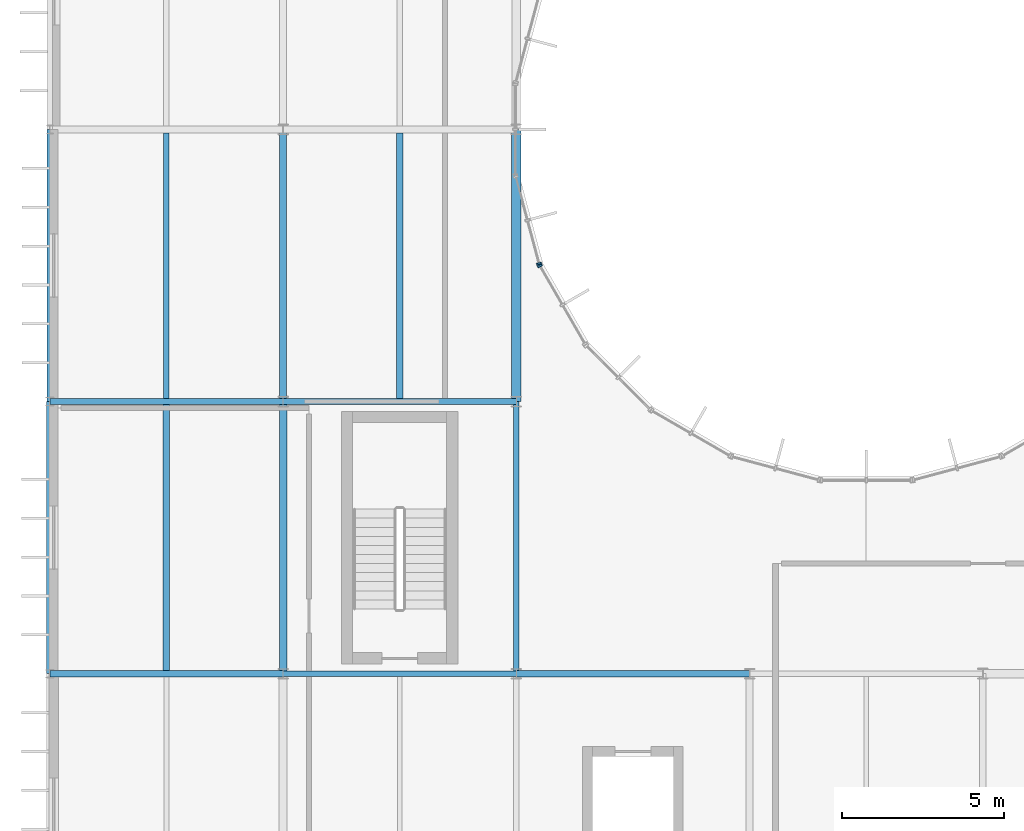
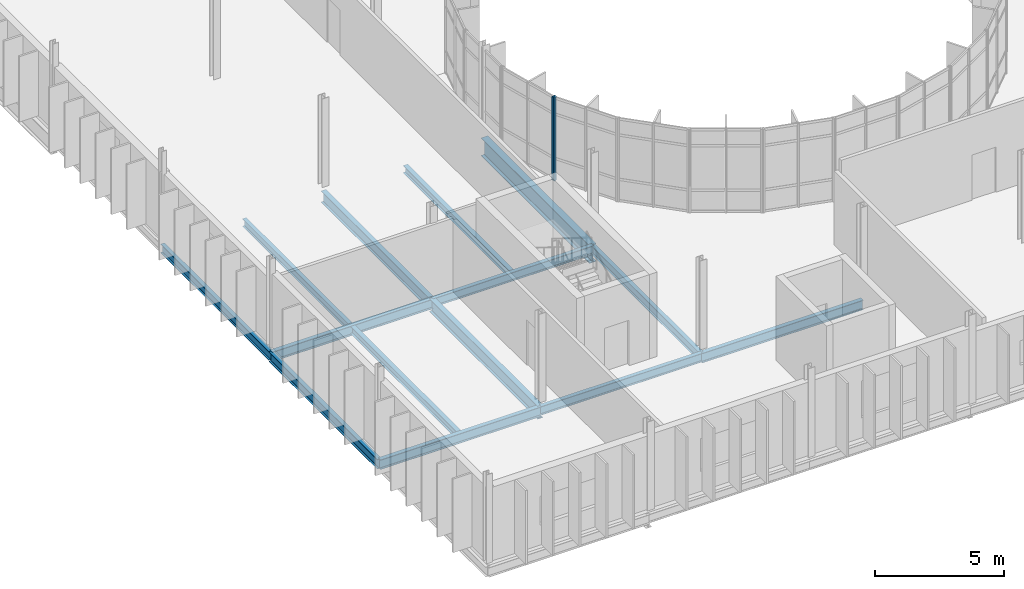
# One storey, part 19 of 61: 14 beams, 2 members, 2 elements without a shape of their own.
"""IFC4 building model written with IfcOpenShell, lengths in metres."""

import ifcopenshell
import ifcopenshell.guid

model = None  # the IFC model being written
_history = None  # IfcOwnerHistory: only IFC2X3 demands one
_inside = {}  # id of a spatial element -> (the spatial element, [elements in it])
_under = {}  # id of a project, library or spatial element -> (it, [spatial elements below it])
_declared = {}  # id of a project -> (the project, [libraries it declares])
_typed = {}  # id of a type object -> (the type object, [elements of that type])
_made_of = {}  # id of a material, layer set ... -> (it, [elements and type objects made of it])


def new_model(schema):
    """Start an empty IFC model of exactly this schema.

    Asked for "IFC4X3", IfcOpenShell would pick the latest addendum, in which some entities
    have other attributes; the version numbers below select the first issue.
    IFC2X3 requires an IfcOwnerHistory on every rooted entity: one is made here for all.
    """
    global model, _history
    if schema == "IFC4X3":
        model = ifcopenshell.file(schema_version=(4, 3, 0, 0))
    else:
        model = ifcopenshell.file(schema=schema)
    _inside.clear()
    _under.clear()
    _declared.clear()
    _typed.clear()
    _made_of.clear()
    _history = None
    if model.schema == "IFC2X3":
        org = make("IfcOrganization", Name="unknown")
        user = make(
            "IfcPersonAndOrganization",
            ThePerson=make("IfcPerson", FamilyName="unknown"),
            TheOrganization=org,
        )
        app = make(
            "IfcApplication",
            ApplicationDeveloper=org,
            Version="unknown",
            ApplicationFullName="unknown",
            ApplicationIdentifier="unknown",
        )
        _history = make(
            "IfcOwnerHistory",
            OwningUser=user,
            OwningApplication=app,
            ChangeAction="ADDED",
            CreationDate=0,
        )
    return model


def make(cls, **values):
    """One entity of the class cls with the attributes given. An attribute that is None is left unset."""
    return model.create_entity(
        cls, **{name: value for name, value in values.items() if value is not None}
    )


def rooted(cls, **values):
    """An entity with a GlobalId (a new one), such as an element, a storey or a relation."""
    return make(cls, GlobalId=ifcopenshell.guid.new(), OwnerHistory=_history, **values)


def si_unit(unit_type, name, prefix=None):
    """IfcSIUnit, for example si_unit("LENGTHUNIT", "METRE", prefix="MILLI")."""
    return make("IfcSIUnit", UnitType=unit_type, Prefix=prefix, Name=name)


def assignment(units):
    """IfcUnitAssignment: the units of a project."""
    return None if units is None else make("IfcUnitAssignment", Units=units)


def point(xyz):
    """IfcCartesianPoint."""
    return None if xyz is None else make("IfcCartesianPoint", Coordinates=xyz)


def direction(xyz):
    """IfcDirection."""
    return None if xyz is None else make("IfcDirection", DirectionRatios=xyz)


def frame(location, z_axis=None, x_axis=None):
    """IfcAxis2Placement3D, a coordinate frame: its origin and axes. An axis left out is left unset."""
    return make(
        "IfcAxis2Placement3D",
        Location=point(location),
        Axis=direction(z_axis),
        RefDirection=direction(x_axis),
    )


def frame_2d(location, x_axis=None):
    """IfcAxis2Placement2D, a coordinate frame in the plane: its origin and x axis."""
    return make(
        "IfcAxis2Placement2D", Location=point(location), RefDirection=direction(x_axis)
    )


def origin():
    """The frame at (0, 0, 0) with its axes left unset."""
    return frame((0.0, 0.0, 0.0))


def origin_2d():
    """The frame at (0, 0) in the plane with its x axis left unset."""
    return frame_2d((0.0, 0.0))


def place(relative_to, where):
    """IfcLocalPlacement: puts the frame where relative to a parent placement (None: the world)."""
    return make(
        "IfcLocalPlacement", PlacementRelTo=relative_to, RelativePlacement=where
    )


def context(
    kind, dimensions, precision=None, world=None, true_north=None, identifier=None
):
    """IfcGeometricRepresentationContext, for example the 3D "Model" context."""
    return make(
        "IfcGeometricRepresentationContext",
        ContextIdentifier=identifier,
        ContextType=kind,
        CoordinateSpaceDimension=dimensions,
        Precision=precision,
        WorldCoordinateSystem=world,
        TrueNorth=true_north,
    )


def subcontext(parent, identifier, kind, view, scale=None):
    """IfcGeometricRepresentationSubContext, for example "Body" below "Model"."""
    return make(
        "IfcGeometricRepresentationSubContext",
        ContextIdentifier=identifier,
        ContextType=kind,
        ParentContext=parent,
        TargetScale=scale,
        TargetView=view,
    )


def project(units=None, contexts=None):
    """IfcProject with its units and contexts."""
    return rooted(
        "IfcProject",
        Name="project",
        RepresentationContexts=contexts,
        UnitsInContext=assignment(units),
    )


def spatial(cls, under=None, at=None, **own):
    """A site, building, storey or space (cls), placed at a placement, below another one or the project."""
    s = rooted(cls, ObjectPlacement=at, **own)
    if under is not None:
        _under.setdefault(under.id(), (under, []))[1].append(s)
    return s


def profile(cls, at=None, kind="AREA", **sizes):
    """A parametric profile (cls). Its sizes go by their IFC names, for example OverallWidth=200.0."""
    return make(cls, ProfileType=kind, Position=at, **sizes)


def rectangle(**sizes):
    """IfcRectangleProfileDef."""
    return profile("IfcRectangleProfileDef", **sizes)


def i_section(**sizes):
    """IfcIShapeProfileDef."""
    return profile("IfcIShapeProfileDef", **sizes)


def extrude(swept, where, along, depth):
    """IfcExtrudedAreaSolid: the profile swept, set in the frame where, extruded along a direction by depth."""
    return make(
        "IfcExtrudedAreaSolid",
        SweptArea=swept,
        Position=where,
        ExtrudedDirection=direction(along),
        Depth=depth,
    )


def shape(context_of_items, identifier, shape_type, items):
    """IfcShapeRepresentation: the items that make up one representation, for example the "Body"."""
    return make(
        "IfcShapeRepresentation",
        ContextOfItems=context_of_items,
        RepresentationIdentifier=identifier,
        RepresentationType=shape_type,
        Items=items,
    )


def material(Name=None, Category=None):
    """IfcMaterial."""
    return make("IfcMaterial", Name=Name, Category=Category)


def material_profile(
    of_material, cross_section, Name=None, Category=None, Priority=None
):
    """IfcMaterialProfile: a cross section and its material."""
    return make(
        "IfcMaterialProfile",
        Name=Name,
        Material=of_material,
        Profile=cross_section,
        Priority=Priority,
        Category=Category,
    )


def profile_set(profiles, Name=None, composite=None):
    """IfcMaterialProfileSet."""
    return make(
        "IfcMaterialProfileSet",
        Name=Name,
        MaterialProfiles=profiles,
        CompositeProfile=composite,
    )


def made_of(thing, what):
    """Note that an element or type object is made of a material, layer set ...; save() writes the relation."""
    if what is not None:
        _made_of.setdefault(what.id(), (what, []))[1].append(thing)
    return thing


def type_object(cls, material=None, **own):
    """A type object (cls), such as IfcWallType, which elements share."""
    return made_of(rooted(cls, **own), material)


def element(
    cls,
    number,
    at=None,
    inside=None,
    cuts=None,
    type_object=None,
    material=None,
    context=None,
    identifier="Body",
    shape_type=None,
    held_by="IfcProductDefinitionShape",
    body=None,
    shapes=None,
    **own,
):
    """One element of the class cls, such as IfcWall. Its Tag is "e" and its number.

    at: its placement. inside: the storey or other place that contains it. cuts: it is an
    opening in that element (IfcRelVoidsElement). A single representation is given by context,
    identifier, shape_type and body (its items); several are given by shapes. held_by: the class
    of the entity that holds the representations. save() writes the other relations.
    """
    e = rooted(cls, Tag="e%d" % number, ObjectPlacement=at, **own)
    if body is not None:
        shapes = [shape(context, identifier, shape_type, body)]
    if shapes is not None:
        e.Representation = make(held_by, Representations=shapes)
    if inside is not None:
        _inside.setdefault(inside.id(), (inside, []))[1].append(e)
    if cuts is not None:
        rooted(
            "IfcRelVoidsElement", RelatingBuildingElement=cuts, RelatedOpeningElement=e
        )
    if type_object is not None:
        _typed.setdefault(type_object.id(), (type_object, []))[1].append(e)
    return made_of(e, material)


def aggregate(whole, parts):
    """IfcRelAggregates: a whole, such as a stair, and the parts it consists of."""
    return rooted("IfcRelAggregates", RelatingObject=whole, RelatedObjects=parts)


def save(model, path):
    """Write the relations noted so far, then the file.

    IfcRelAggregates (storeys below a building ...), IfcRelContainedInSpatialStructure (elements
    in a storey), IfcRelDefinesByType, IfcRelAssociatesMaterial and IfcRelDeclares: one each for
    every whole, place, type object, material and project.
    """
    for whole, parts in _under.values():
        aggregate(whole, parts)
    for where, things in _inside.values():
        rooted(
            "IfcRelContainedInSpatialStructure",
            RelatedElements=things,
            RelatingStructure=where,
        )
    for kind, things in _typed.values():
        rooted("IfcRelDefinesByType", RelatedObjects=things, RelatingType=kind)
    for what, things in _made_of.values():
        rooted("IfcRelAssociatesMaterial", RelatedObjects=things, RelatingMaterial=what)
    for by, libraries in _declared.values():
        rooted("IfcRelDeclares", RelatingContext=by, RelatedDefinitions=libraries)
    model.write(path)


model = new_model("IFC4")

# Units and contexts
model_context = context("Model", 3, precision=1e-05, world=origin(), true_north=direction((0.0, 1.0)))
body_context = subcontext(model_context, "Body", "Model", "MODEL_VIEW")
ifc_project = project(units=[si_unit("LENGTHUNIT", "METRE"), si_unit("AREAUNIT", "SQUARE_METRE"), si_unit("VOLUMEUNIT", "CUBIC_METRE"), si_unit("PLANEANGLEUNIT", "RADIAN"), si_unit("MASSUNIT", "GRAM", prefix="KILO")], contexts=[model_context])

# Site, building, storey
site_placement = place(None, origin())
site = spatial("IfcSite", under=ifc_project, at=site_placement, CompositionType="ELEMENT")
building_placement = place(site_placement, origin())
building = spatial("IfcBuilding", under=site, at=building_placement, Name="Qelthora Terrace Specialist Clinic", CompositionType="ELEMENT")
storey_placement = place(building_placement, frame((0.0, 0.0, 13.199951171875)))
storey = spatial("IfcBuildingStorey", under=building, at=storey_placement, Name="L03", CompositionType="ELEMENT", Elevation=13.199951171875)

# Beams
ifc_material_1 = material(Name="Steel S355", Category="steel")
ifc_material_profile_1 = material_profile(ifc_material_1, i_section(OverallWidth=0.178955078125, OverallDepth=0.409912109375, WebThickness=0.0087890625, FlangeThickness=0.014404296875, FilletRadius=0.011962890625, at=origin_2d()), Name="W410X67")
ifc_profile_set_1 = profile_set([ifc_material_profile_1], Name="Steel S355")
beam_type_1 = type_object("IfcBeamType", Name="BM-W410X67", PredefinedType="BEAM", material=ifc_profile_set_1)
for number, where, z_axis, x_axis, name in (
    (1, (7.199951171875, 67.199951171875, -0.454833984375), (1.0, 0.0, 0.0), (0.0, 1.0, 0.0), "Girder BMX-L03-0950"),
    (2, (7.199951171875, 75.60009765625, -0.454833984375), (1.0, 0.0, 0.0), (0.0, 1.0, 0.0), "Girder BMX-L03-0966"),
):
    element("IfcBeam", number, at=place(storey_placement, frame(where, z_axis=z_axis, x_axis=x_axis)), inside=storey, type_object=beam_type_1, Name=name, PredefinedType="BEAM", context=body_context, shape_type="SweptSolid", body=[
        extrude(i_section(OverallWidth=0.178955078125, OverallDepth=0.409912109375, WebThickness=0.0087890625, FlangeThickness=0.014404296875, FilletRadius=0.011962890625, at=origin_2d()), origin(), (0.0, 0.0, 1.0), 7.199951171875),
    ])
beam_1_placement = place(storey_placement, frame((14.39990234375, 67.199951171875, -0.454833984375), z_axis=(0.0, 1.0, 0.0), x_axis=(-1.0, 0.0, 0.0)))
element("IfcBeam", 3, at=beam_1_placement, inside=storey, type_object=beam_type_1, Name="Girder BMY-L03-1040", PredefinedType="BEAM", context=body_context, shape_type="SweptSolid", body=[
    extrude(i_section(OverallWidth=0.178955078125, OverallDepth=0.409912109375, WebThickness=0.0087890625, FlangeThickness=0.014404296875, FilletRadius=0.011962890625, at=origin_2d()), origin(), (0.0, 0.0, 1.0), 8.400146484375),
])
ifc_material_profile_2 = material_profile(ifc_material_1, i_section(OverallWidth=0.179931640625, OverallDepth=0.4130859375, WebThickness=0.009765625, FlangeThickness=0.01611328125, FilletRadius=0.011962890625, at=origin_2d()), Name="W410X75")
ifc_profile_set_2 = profile_set([ifc_material_profile_2], Name="Steel S355")
beam_type_2 = type_object("IfcBeamType", Name="BM-W410X75", PredefinedType="BEAM", material=ifc_profile_set_2)
beam_2_placement = place(storey_placement, frame((0.0, 75.60009765625, -0.45654296875), z_axis=(0.0, 1.0, 0.0), x_axis=(-1.0, 0.0, 0.0)))
element("IfcBeam", 4, at=beam_2_placement, inside=storey, type_object=beam_type_2, Name="Girder BMY-L03-1029", PredefinedType="BEAM", context=body_context, shape_type="SweptSolid", body=[
    extrude(i_section(OverallWidth=0.179931640625, OverallDepth=0.4130859375, WebThickness=0.009765625, FlangeThickness=0.01611328125, FilletRadius=0.011962890625, at=origin_2d()), origin(), (0.0, 0.0, 1.0), 8.39990234375),
])
ifc_material_profile_3 = material_profile(ifc_material_1, i_section(OverallWidth=0.19091796875, OverallDepth=0.4599609375, WebThickness=0.010009765625, FlangeThickness=0.01611328125, FilletRadius=0.012939453125, at=origin_2d()), Name="W460X82")
ifc_profile_set_3 = profile_set([ifc_material_profile_3], Name="Steel S355")
beam_type_3 = type_object("IfcBeamType", Name="BM-W460X82", PredefinedType="BEAM", material=ifc_profile_set_3)
beam_3_placement = place(storey_placement, frame((14.39990234375, 67.199951171875, -0.47998046875), z_axis=(1.0, 0.0, 0.0), x_axis=(0.0, 1.0, 0.0)))
element("IfcBeam", 5, at=beam_3_placement, inside=storey, type_object=beam_type_3, Name="Girder BMX-L03-0951", PredefinedType="BEAM", context=body_context, shape_type="SweptSolid", body=[
    extrude(i_section(OverallWidth=0.19091796875, OverallDepth=0.4599609375, WebThickness=0.010009765625, FlangeThickness=0.01611328125, FilletRadius=0.012939453125, at=origin_2d()), origin(), (0.0, 0.0, 1.0), 7.2001953125),
])
beam_4_placement = place(storey_placement, frame((0.0, 67.199951171875, -0.47998046875), z_axis=(0.0, 1.0, 0.0), x_axis=(-1.0, 0.0, 0.0)))
element("IfcBeam", 6, at=beam_4_placement, inside=storey, type_object=beam_type_3, Name="Girder BMY-L03-1028", PredefinedType="BEAM", context=body_context, shape_type="SweptSolid", body=[
    extrude(i_section(OverallWidth=0.19091796875, OverallDepth=0.4599609375, WebThickness=0.010009765625, FlangeThickness=0.01611328125, FilletRadius=0.012939453125, at=origin_2d()), origin(), (0.0, 0.0, 1.0), 8.400146484375),
])
ifc_material_profile_4 = material_profile(ifc_material_1, i_section(OverallWidth=0.2119140625, OverallDepth=0.5439453125, WebThickness=0.01318359375, FlangeThickness=0.021240234375, FilletRadius=0.013916015625, at=origin_2d()), Name="W530X123")
ifc_profile_set_4 = profile_set([ifc_material_profile_4], Name="Steel S355")
beam_type_4 = type_object("IfcBeamType", Name="BM-W530X123", PredefinedType="BEAM", material=ifc_profile_set_4)
beam_5_placement = place(storey_placement, frame((7.199951171875, 75.60009765625, -0.52197265625), z_axis=(0.0, 1.0, 0.0), x_axis=(-1.0, 0.0, 0.0)))
element("IfcBeam", 7, at=beam_5_placement, inside=storey, type_object=beam_type_4, Name="Girder BMY-L03-1035", PredefinedType="BEAM", context=body_context, shape_type="SweptSolid", body=[
    extrude(i_section(OverallWidth=0.2119140625, OverallDepth=0.5439453125, WebThickness=0.01318359375, FlangeThickness=0.021240234375, FilletRadius=0.013916015625, at=origin_2d()), origin(), (0.0, 0.0, 1.0), 8.39990234375),
])
ifc_material_profile_5 = material_profile(ifc_material_1, i_section(OverallWidth=0.22998046875, OverallDepth=0.616943359375, WebThickness=0.01318359375, FlangeThickness=0.022216796875, FilletRadius=0.01611328125, at=origin_2d()), Name="W610X140")
ifc_profile_set_5 = profile_set([ifc_material_profile_5], Name="Steel S355")
beam_type_5 = type_object("IfcBeamType", Name="BM-W610X140", PredefinedType="BEAM", material=ifc_profile_set_5)
beam_6_placement = place(storey_placement, frame((7.199951171875, 67.199951171875, -0.558349609375), z_axis=(0.0, 1.0, 0.0), x_axis=(-1.0, 0.0, 0.0)))
element("IfcBeam", 8, at=beam_6_placement, inside=storey, type_object=beam_type_5, Name="Girder BMY-L03-1034", PredefinedType="BEAM", context=body_context, shape_type="SweptSolid", body=[
    extrude(i_section(OverallWidth=0.22998046875, OverallDepth=0.616943359375, WebThickness=0.01318359375, FlangeThickness=0.022216796875, FilletRadius=0.01611328125, at=origin_2d()), origin(), (0.0, 0.0, 1.0), 8.400146484375),
])
ifc_material_profile_6 = material_profile(ifc_material_1, i_section(OverallWidth=0.2939453125, OverallDepth=0.85107421875, WebThickness=0.01611328125, FlangeThickness=0.02685546875, FilletRadius=0.02001953125, at=origin_2d()), Name="W840X226")
ifc_profile_set_6 = profile_set([ifc_material_profile_6], Name="Steel S355")
beam_type_6 = type_object("IfcBeamType", Name="BM-W840X226", PredefinedType="BEAM", material=ifc_profile_set_6)
beam_7_placement = place(storey_placement, frame((14.39990234375, 75.60009765625, -0.675537109375), z_axis=(0.0, 1.0, 0.0), x_axis=(-1.0, 0.0, 0.0)))
element("IfcBeam", 9, at=beam_7_placement, inside=storey, type_object=beam_type_6, Name="Girder BMY-L03-1041", PredefinedType="BEAM", context=body_context, shape_type="SweptSolid", body=[
    extrude(i_section(OverallWidth=0.2939453125, OverallDepth=0.85107421875, WebThickness=0.01611328125, FlangeThickness=0.02685546875, FilletRadius=0.02001953125, at=origin_2d()), origin(), (0.0, 0.0, 1.0), 8.39990234375),
])

# Curtain wall, member
ifc_material_2 = material(Name="Aluminium anodized bronze", Category="aluminium")
curtain_wall_type = type_object("IfcCurtainWallType", Name="CW-CRTW-UPP", PredefinedType="NOTDEFINED", material=ifc_material_2)
curtain_wall_1_placement = place(storey_placement, origin())
curtain_wall_1 = element("IfcCurtainWall", 10, at=curtain_wall_1_placement, inside=storey, type_object=curtain_wall_type, Name="Curtain wall CW-CW-L03-13", PredefinedType="NOTDEFINED")
ifc_material_profile_7 = material_profile(ifc_material_2, rectangle(XDim=0.06005859375, YDim=0.14990234375, at=origin_2d()), Name="CWM60X150")
ifc_profile_set_7 = profile_set([ifc_material_profile_7], Name="Aluminium anodized bronze")
member_type = type_object("IfcMemberType", Name="CWM-60X150", PredefinedType="MULLION", material=ifc_profile_set_7)
member_1_placement = place(storey_placement, frame((15.10107421875, 79.855224609375, 0.0), z_axis=(0.0, 0.0, 1.0), x_axis=(0.258820356987, -0.96592547477, 0.0)))
member_1 = element("IfcMember", 11, at=member_1_placement, type_object=member_type, Name="CW-CW-L03-13 mullion 3", PredefinedType="MULLION", context=body_context, shape_type="SweptSolid", body=[
    extrude(rectangle(XDim=0.06005859375, YDim=0.14990234375, at=origin_2d()), origin(), (0.0, 0.0, 1.0), 3.945068359375),
])
aggregate(curtain_wall_1, [member_1])

curtain_wall_2_placement = place(storey_placement, origin())
curtain_wall_2 = element("IfcCurtainWall", 12, at=curtain_wall_2_placement, inside=storey, type_object=curtain_wall_type, Name="Curtain wall CW-CW-L03-14", PredefinedType="NOTDEFINED")
member_2_placement = place(storey_placement, frame((15.128173828125, 79.789794921875, 0.0), z_axis=(0.0, 0.0, 1.0), x_axis=(0.499999597971, -0.866025635896, 0.0)))
member_2 = element("IfcMember", 13, at=member_2_placement, type_object=member_type, Name="CW-CW-L03-14 mullion 1", PredefinedType="MULLION", context=body_context, shape_type="SweptSolid", body=[
    extrude(rectangle(XDim=0.06005859375, YDim=0.14990234375, at=origin_2d()), origin(), (0.0, 0.0, 1.0), 3.945068359375),
])
aggregate(curtain_wall_2, [member_2])

# Beams
ifc_material_profile_8 = material_profile(ifc_material_1, i_section(OverallWidth=0.172119140625, OverallDepth=0.35791015625, WebThickness=0.0078125, FlangeThickness=0.01318359375, FilletRadius=0.010986328125, at=origin_2d()), Name="W360X57")
ifc_profile_set_8 = profile_set([ifc_material_profile_8], Name="Steel S355")
beam_type_7 = type_object("IfcBeamType", Name="JST-W360X57", PredefinedType="JOIST", material=ifc_profile_set_8)
beam_8_placement = place(storey_placement, frame((3.60009765625, 75.695556640625, -0.428955078125), z_axis=(0.0, 1.0, 0.0), x_axis=(-1.0, 0.0, 0.0)))
element("IfcBeam", 14, at=beam_8_placement, inside=storey, type_object=beam_type_7, Name="Composite floor joist JST-L03-0218", PredefinedType="JOIST", context=body_context, shape_type="SweptSolid", body=[
    extrude(i_section(OverallWidth=0.172119140625, OverallDepth=0.35791015625, WebThickness=0.0078125, FlangeThickness=0.01318359375, FilletRadius=0.010986328125, at=origin_2d()), origin(), (0.0, 0.0, 1.0), 8.198486328125),
])
ifc_material_profile_9 = material_profile(ifc_material_1, i_section(OverallWidth=0.202880859375, OverallDepth=0.346923828125, WebThickness=0.0078125, FlangeThickness=0.013427734375, FilletRadius=0.010986328125, at=origin_2d()), Name="W360X64")
ifc_profile_set_9 = profile_set([ifc_material_profile_9], Name="Steel S355")
beam_type_8 = type_object("IfcBeamType", Name="JST-W360X64", PredefinedType="JOIST", material=ifc_profile_set_9)
beam_9_placement = place(storey_placement, frame((3.60009765625, 67.29541015625, -0.42333984375), z_axis=(0.0, 1.0, 0.0), x_axis=(-1.0, 0.0, 0.0)))
element("IfcBeam", 15, at=beam_9_placement, inside=storey, type_object=beam_type_8, Name="Composite floor joist JST-L03-0217", PredefinedType="JOIST", context=body_context, shape_type="SweptSolid", body=[
    extrude(i_section(OverallWidth=0.202880859375, OverallDepth=0.346923828125, WebThickness=0.0078125, FlangeThickness=0.013427734375, FilletRadius=0.010986328125, at=origin_2d()), origin(), (0.0, 0.0, 1.0), 8.208984375),
])
beam_10_placement = place(storey_placement, frame((10.800048828125, 75.689453125, -0.42333984375), z_axis=(0.0, 1.0, 0.0), x_axis=(-1.0, 0.0, 0.0)))
element("IfcBeam", 16, at=beam_10_placement, inside=storey, type_object=beam_type_8, Name="Composite floor joist JST-L03-0223", PredefinedType="JOIST", context=body_context, shape_type="SweptSolid", body=[
    extrude(i_section(OverallWidth=0.202880859375, OverallDepth=0.346923828125, WebThickness=0.0078125, FlangeThickness=0.013427734375, FilletRadius=0.010986328125, at=origin_2d()), origin(), (0.0, 0.0, 1.0), 8.20556640625),
])
ifc_material_profile_10 = material_profile(ifc_material_1, i_section(OverallWidth=0.19091796875, OverallDepth=0.4599609375, WebThickness=0.010009765625, FlangeThickness=0.01611328125, FilletRadius=0.012939453125, at=origin_2d()), Name="W460X82")
ifc_profile_set_10 = profile_set([ifc_material_profile_10], Name="Steel S355")
beam_type_9 = type_object("IfcBeamType", Name="SPD-W460X82", PredefinedType="SPANDREL", material=ifc_profile_set_10)
for number, where, z_axis, x_axis, name in (
    (17, (0.0, 67.199951171875, -0.47998046875), (1.0, 0.0, 0.0), (0.0, 1.0, 0.0), "Girder BMX-L03-0949"),
    (18, (0.0, 75.60009765625, -0.47998046875), (1.0, 0.0, 0.0), (0.0, 1.0, 0.0), "Girder BMX-L03-0965"),
):
    element("IfcBeam", number, at=place(storey_placement, frame(where, z_axis=z_axis, x_axis=x_axis)), inside=storey, type_object=beam_type_9, Name=name, PredefinedType="SPANDREL", context=body_context, shape_type="SweptSolid", body=[
        extrude(i_section(OverallWidth=0.19091796875, OverallDepth=0.4599609375, WebThickness=0.010009765625, FlangeThickness=0.01611328125, FilletRadius=0.012939453125, at=origin_2d()), origin(), (0.0, 0.0, 1.0), 7.199951171875),
    ])

save(model, "model.ifc")
